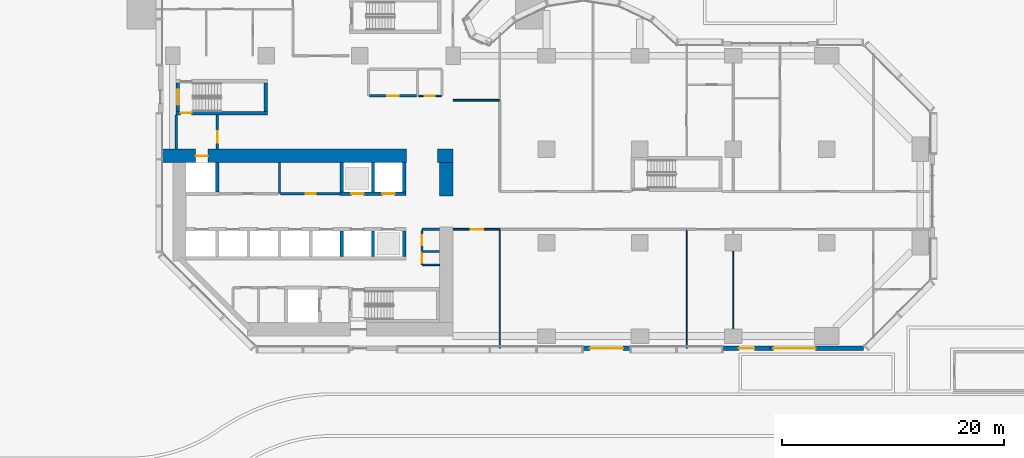
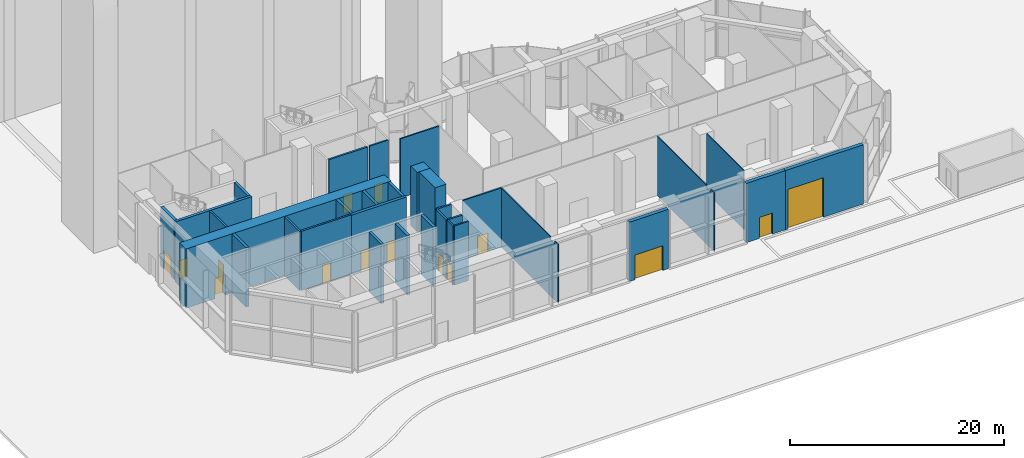
# One storey, part 8 of 21: 33 walls, 15 doors, 15 openings.
"""IFC4 building model written with IfcOpenShell, lengths in metres."""

from ifc_helpers import new_model, si_unit, direction, frame, frame_2d, origin, place, context, subcontext, project, spatial, polyline, rectangle, outline, extrude, material, layer, layer_set, type_object, element, fill, save


model = new_model("IFC4")

# Units and contexts
model_context = context("Model", 3, precision=1e-05, world=origin(), true_north=direction((0.0, 1.0)))
body_context = subcontext(model_context, "Body", "Model", "MODEL_VIEW")
ifc_project = project(units=[si_unit("LENGTHUNIT", "METRE"), si_unit("AREAUNIT", "SQUARE_METRE"), si_unit("VOLUMEUNIT", "CUBIC_METRE"), si_unit("PLANEANGLEUNIT", "RADIAN"), si_unit("MASSUNIT", "GRAM", prefix="KILO")], contexts=[model_context])

# Site, building, storey
site_placement = place(None, origin())
site = spatial("IfcSite", under=ifc_project, at=site_placement, CompositionType="ELEMENT")
building_placement = place(site_placement, origin())
building = spatial("IfcBuilding", under=site, at=building_placement, Name="Brevane Broadcast Tower", CompositionType="ELEMENT")
storey_placement = place(building_placement, origin())
storey = spatial("IfcBuildingStorey", under=building, at=storey_placement, Name="L00", CompositionType="ELEMENT", Elevation=0.0)

# Wall, opening, door
ifc_material_1 = material(Name="Gypsum board on steel studs", Category="steel")
ifc_layer_1 = layer(ifc_material_1, 0.14990234375)
ifc_layer_set_1 = layer_set([ifc_layer_1], Name="Core fire partition 150 mm")
wall_type_1 = type_object("IfcWallType", Name="Core fire partition 150 mm", PredefinedType="PARTITIONING", material=ifc_layer_set_1)
wall_1_placement = place(storey_placement, frame((24.125, 21.60009765625, 0.0), z_axis=(0.0, 0.0, 1.0), x_axis=(-1.0, 0.0, 0.0)))
wall_1 = element("IfcWall", 1, at=wall_1_placement, inside=storey, type_object=wall_type_1, Name="L00 partition wall P20", PredefinedType="PARTITIONING", context=body_context, shape_type="SweptSolid", body=[
    extrude(rectangle(XDim=2.02490234375, YDim=0.14990234375, at=frame_2d((1.012451171875, 0.0))), origin(), (0.0, 0.0, 1.0), 6.75),
])
opening_1_placement = place(wall_1_placement, frame((0.574951171875, 0.0, 0.0)))
opening_1 = element("IfcOpeningElement", 2, at=opening_1_placement, cuts=wall_1, Name="Opening L00-K33", PredefinedType="OPENING", context=body_context, shape_type="SweptSolid", body=[
    extrude(rectangle(XDim=0.89990234375, YDim=2.10009765625, at=frame_2d((0.449951171875, 1.050048828125))), frame((0.0, 0.0849609375, 0.0), z_axis=(0.0, -1.0, 0.0), x_axis=(1.0, 0.0, 0.0)), (0.0, 0.0, 1.0), 0.169921875),
])
ifc_material_2 = material(Name="Timber", Category="wood")
door_type_1 = type_object("IfcDoorType", Name="Toilet door 900 x 2100", OperationType="SINGLE_SWING_LEFT", PredefinedType="DOOR", material=ifc_material_2)
door_1_placement = place(opening_1_placement, origin())
door_1 = element("IfcDoor", 3, at=door_1_placement, inside=storey, type_object=door_type_1, Name="Door L00-K33", OperationType="SINGLE_SWING_RIGHT", OverallHeight=2.10009765625, OverallWidth=0.89990234375, PredefinedType="DOOR", context=body_context, shape_type="SweptSolid", body=[
    extrude(rectangle(XDim=0.89990234375, YDim=2.10009765625, at=frame_2d((0.449951171875, 1.050048828125))), frame((0.0, 0.02490234375, 0.0), z_axis=(0.0, -1.0, 0.0), x_axis=(1.0, 0.0, 0.0)), (0.0, 0.0, 1.0), 0.050048828125),
])
fill(opening_1, door_1)

wall_2_placement = place(storey_placement, frame((22.39990234375, 7.5, 0.0), z_axis=(0.0, 0.0, 1.0), x_axis=(0.0, -1.0, 0.0)))
wall_2 = element("IfcWall", 4, at=wall_2_placement, inside=storey, type_object=wall_type_1, Name="L00 partition wall P21", PredefinedType="PARTITIONING", context=body_context, shape_type="SweptSolid", body=[
    extrude(rectangle(XDim=1.10009765625, YDim=0.14990234375, at=frame_2d((0.550048828125, 0.0))), origin(), (0.0, 0.0, 1.0), 6.75),
])
opening_2_placement = place(wall_2_placement, frame((0.050048828125, 0.0, 0.0)))
opening_2 = element("IfcOpeningElement", 5, at=opening_2_placement, cuts=wall_2, Name="Opening L00-K27", PredefinedType="OPENING", context=body_context, shape_type="SweptSolid", body=[
    extrude(rectangle(XDim=0.89990234375, YDim=2.10009765625, at=frame_2d((0.449951171875, 1.050048828125))), frame((0.0, 0.0849609375, 0.0), z_axis=(0.0, -1.0, 0.0), x_axis=(1.0, 0.0, 0.0)), (0.0, 0.0, 1.0), 0.169921875),
])
ifc_material_3 = material(Name="Steel", Category="steel")
door_type_2 = type_object("IfcDoorType", Name="Service room door 900 x 2100", OperationType="SINGLE_SWING_LEFT", PredefinedType="DOOR", material=ifc_material_3)
door_2_placement = place(opening_2_placement, origin())
door_2 = element("IfcDoor", 6, at=door_2_placement, inside=storey, type_object=door_type_2, Name="Door L00-K27", OperationType="SINGLE_SWING_RIGHT", OverallHeight=2.10009765625, OverallWidth=0.89990234375, PredefinedType="DOOR", context=body_context, shape_type="SweptSolid", body=[
    extrude(rectangle(XDim=0.89990234375, YDim=2.10009765625, at=frame_2d((0.449951171875, 1.050048828125))), frame((0.0, 0.02490234375, 0.0), z_axis=(0.0, -1.0, 0.0), x_axis=(1.0, 0.0, 0.0)), (0.0, 0.0, 1.0), 0.050048828125),
])
fill(opening_2, door_2)

# Walls
wall_3_placement = place(storey_placement, frame((22.47509765625, 6.39990234375, 0.0), z_axis=(0.0, 0.0, 1.0), x_axis=(1.0, 0.0, 0.0)))
element("IfcWall", 7, at=wall_3_placement, inside=storey, type_object=wall_type_1, Name="L00 partition wall P22", PredefinedType="PARTITIONING", context=body_context, shape_type="SweptSolid", body=[
    extrude(rectangle(XDim=1.512939453125, YDim=0.14990234375, at=frame_2d((0.75634765625, 0.0))), origin(), (0.0, 0.0, 1.0), 6.75),
])
ifc_layer_2 = layer(ifc_material_1, 0.199951171875)
ifc_layer_set_2 = layer_set([ifc_layer_2], Name="Core fire partition 200 mm")
wall_type_2 = type_object("IfcWallType", Name="Core fire partition 200 mm", PredefinedType="PARTITIONING", material=ifc_layer_set_2)
wall_4_placement = place(storey_placement, frame((0.300048828125, 16.81201171875, 0.0), z_axis=(0.0, 0.0, 1.0), x_axis=(0.0, 1.0, 0.0)))
element("IfcWall", 8, at=wall_4_placement, inside=storey, type_object=wall_type_2, Name="L00 partition wall P01", PredefinedType="PARTITIONING", context=body_context, shape_type="SweptSolid", body=[
    extrude(rectangle(XDim=3.075927734375, YDim=0.199951171875, at=frame_2d((1.5380859375, 0.0))), origin(), (0.0, 0.0, 1.0), 6.3798828125),
])

# Wall, opening, door
wall_5_placement = place(storey_placement, frame((4.0, 19.887939453125, 0.0), z_axis=(0.0, 0.0, 1.0), x_axis=(0.0, -1.0, 0.0)))
wall_5 = element("IfcWall", 9, at=wall_5_placement, inside=storey, type_object=wall_type_2, Name="L00 partition wall P02", PredefinedType="PARTITIONING", context=body_context, shape_type="SweptSolid", body=[
    extrude(rectangle(XDim=3.075927734375, YDim=0.199951171875, at=frame_2d((1.5380859375, 0.0))), origin(), (0.0, 0.0, 1.0), 6.75),
])
opening_3_placement = place(wall_5_placement, frame((1.488037109375, 0.0, 0.0)))
opening_3 = element("IfcOpeningElement", 10, at=opening_3_placement, cuts=wall_5, Name="Opening L00-K31", PredefinedType="OPENING", context=body_context, shape_type="SweptSolid", body=[
    extrude(rectangle(XDim=1.0, YDim=2.10009765625, at=frame_2d((0.5, 1.050048828125))), frame((0.0, 0.10986328125, 0.0), z_axis=(0.0, -1.0, 0.0), x_axis=(1.0, 0.0, 0.0)), (0.0, 0.0, 1.0), 0.219970703125),
])
door_type_3 = type_object("IfcDoorType", Name="Stair door 1000 x 2100", OperationType="SINGLE_SWING_LEFT", PredefinedType="DOOR", material=ifc_material_3)
door_3_placement = place(opening_3_placement, origin())
door_3 = element("IfcDoor", 11, at=door_3_placement, inside=storey, type_object=door_type_3, Name="Door L00-K31", OperationType="SINGLE_SWING_RIGHT", OverallHeight=2.10009765625, OverallWidth=1.0, PredefinedType="DOOR", context=body_context, shape_type="SweptSolid", body=[
    extrude(rectangle(XDim=1.0, YDim=2.10009765625, at=frame_2d((0.5, 1.050048828125))), frame((0.0, 0.02490234375, 0.0), z_axis=(0.0, -1.0, 0.0), x_axis=(1.0, 0.0, 0.0)), (0.0, 0.0, 1.0), 0.050048828125),
])
fill(opening_3, door_3)

wall_6_placement = place(storey_placement, frame((21.89990234375, 21.60009765625, 0.0), z_axis=(0.0, 0.0, 1.0), x_axis=(-1.0, 0.0, 0.0)))
wall_6 = element("IfcWall", 12, at=wall_6_placement, inside=storey, type_object=wall_type_2, Name="L00 partition wall P07", PredefinedType="PARTITIONING", context=body_context, shape_type="SweptSolid", body=[
    extrude(rectangle(XDim=4.199951171875, YDim=0.199951171875, at=frame_2d((2.10009765625, 0.0))), origin(), (0.0, 0.0, 1.0), 6.75),
])
opening_4_placement = place(wall_6_placement, frame((1.60009765625, 0.0, 0.0)))
opening_4 = element("IfcOpeningElement", 13, at=opening_4_placement, cuts=wall_6, Name="Opening L00-K32", PredefinedType="OPENING", context=body_context, shape_type="SweptSolid", body=[
    extrude(rectangle(XDim=1.0, YDim=2.10009765625, at=frame_2d((0.5, 1.050048828125))), frame((0.0, 0.10986328125, 0.0), z_axis=(0.0, -1.0, 0.0), x_axis=(1.0, 0.0, 0.0)), (0.0, 0.0, 1.0), 0.219970703125),
])
door_4_placement = place(opening_4_placement, origin())
door_4 = element("IfcDoor", 14, at=door_4_placement, inside=storey, type_object=door_type_3, Name="Door L00-K32", OperationType="SINGLE_SWING_LEFT", OverallHeight=2.10009765625, OverallWidth=1.0, PredefinedType="DOOR", context=body_context, shape_type="SweptSolid", body=[
    extrude(rectangle(XDim=1.0, YDim=2.10009765625, at=frame_2d((0.5, 1.050048828125))), frame((0.0, 0.02490234375, 0.0), z_axis=(0.0, -1.0, 0.0), x_axis=(1.0, 0.0, 0.0)), (0.0, 0.0, 1.0), 0.050048828125),
])
fill(opening_4, door_4)

# Wall
wall_7_placement = place(storey_placement, frame((9.60009765625, 15.587890625, 0.0), z_axis=(0.0, 0.0, 1.0), x_axis=(0.0, -1.0, 0.0)))
element("IfcWall", 15, at=wall_7_placement, inside=storey, type_object=wall_type_2, Name="L00 partition wall P08", PredefinedType="PARTITIONING", context=body_context, shape_type="SweptSolid", body=[
    extrude(rectangle(XDim=2.787841796875, YDim=0.199951171875, at=frame_2d((1.39404296875, 0.0))), origin(), (0.0, 0.0, 1.0), 6.75),
])

# Wall, opening, door
wall_8_placement = place(storey_placement, frame((9.699951171875, 12.800048828125, 0.0), z_axis=(0.0, 0.0, 1.0), x_axis=(1.0, 0.0, 0.0)))
wall_8 = element("IfcWall", 16, at=wall_8_placement, inside=storey, type_object=wall_type_2, Name="L00 partition wall P09", PredefinedType="PARTITIONING", context=body_context, shape_type="SweptSolid", body=[
    extrude(rectangle(XDim=5.338134765625, YDim=0.199951171875, at=frame_2d((2.6689453125, 0.0))), origin(), (0.0, 0.0, 1.0), 6.75),
])
opening_5_placement = place(wall_8_placement, frame((2.25, 0.0, 0.0)))
opening_5 = element("IfcOpeningElement", 17, at=opening_5_placement, cuts=wall_8, Name="Opening L00-K30", PredefinedType="OPENING", context=body_context, shape_type="SweptSolid", body=[
    extrude(rectangle(XDim=0.89990234375, YDim=2.10009765625, at=frame_2d((0.449951171875, 1.050048828125))), frame((0.0, 0.10986328125, 0.0), z_axis=(0.0, -1.0, 0.0), x_axis=(1.0, 0.0, 0.0)), (0.0, 0.0, 1.0), 0.219970703125),
])
door_5_placement = place(opening_5_placement, origin())
door_5 = element("IfcDoor", 18, at=door_5_placement, inside=storey, type_object=door_type_2, Name="Door L00-K30", OperationType="SINGLE_SWING_LEFT", OverallHeight=2.10009765625, OverallWidth=0.89990234375, PredefinedType="DOOR", context=body_context, shape_type="SweptSolid", body=[
    extrude(rectangle(XDim=0.89990234375, YDim=2.10009765625, at=frame_2d((0.449951171875, 1.050048828125))), frame((0.0, 0.02490234375, 0.0), z_axis=(0.0, -1.0, 0.0), x_axis=(1.0, 0.0, 0.0)), (0.0, 0.0, 1.0), 0.050048828125),
])
fill(opening_5, door_5)

# Wall
wall_9_placement = place(storey_placement, frame((23.988037109375, 9.60009765625, 0.0), z_axis=(0.0, 0.0, 1.0), x_axis=(-1.0, 0.0, 0.0)))
element("IfcWall", 19, at=wall_9_placement, inside=storey, type_object=wall_type_2, Name="L00 partition wall P10", PredefinedType="PARTITIONING", context=body_context, shape_type="SweptSolid", body=[
    extrude(rectangle(XDim=1.588134765625, YDim=0.199951171875, at=frame_2d((0.7939453125, 0.0))), origin(), (0.0, 0.0, 1.0), 6.75),
])

# Wall, opening, door
wall_10_placement = place(storey_placement, frame((22.39990234375, 9.5, 0.0), z_axis=(0.0, 0.0, 1.0), x_axis=(0.0, -1.0, 0.0)))
wall_10 = element("IfcWall", 20, at=wall_10_placement, inside=storey, type_object=wall_type_2, Name="L00 partition wall P11", PredefinedType="PARTITIONING", context=body_context, shape_type="SweptSolid", body=[
    extrude(rectangle(XDim=1.89990234375, YDim=0.199951171875, at=frame_2d((0.949951171875, 0.0))), origin(), (0.0, 0.0, 1.0), 6.75),
])
opening_6_placement = place(wall_10_placement, frame((0.449951171875, 0.0, 0.0)))
opening_6 = element("IfcOpeningElement", 21, at=opening_6_placement, cuts=wall_10, Name="Opening L00-K28", PredefinedType="OPENING", context=body_context, shape_type="SweptSolid", body=[
    extrude(rectangle(XDim=0.89990234375, YDim=2.10009765625, at=frame_2d((0.449951171875, 1.050048828125))), frame((0.0, 0.10986328125, 0.0), z_axis=(0.0, -1.0, 0.0), x_axis=(1.0, 0.0, 0.0)), (0.0, 0.0, 1.0), 0.219970703125),
])
door_6_placement = place(opening_6_placement, origin())
door_6 = element("IfcDoor", 22, at=door_6_placement, inside=storey, type_object=door_type_2, Name="Door L00-K28", OperationType="SINGLE_SWING_LEFT", OverallHeight=2.10009765625, OverallWidth=0.89990234375, PredefinedType="DOOR", context=body_context, shape_type="SweptSolid", body=[
    extrude(rectangle(XDim=0.89990234375, YDim=2.10009765625, at=frame_2d((0.449951171875, 1.050048828125))), frame((0.0, 0.02490234375, 0.0), z_axis=(0.0, -1.0, 0.0), x_axis=(1.0, 0.0, 0.0)), (0.0, 0.0, 1.0), 0.050048828125),
])
fill(opening_6, door_6)

# Wall
wall_11_placement = place(storey_placement, frame((22.5, 7.60009765625, 0.0), z_axis=(0.0, 0.0, 1.0), x_axis=(1.0, 0.0, 0.0)))
element("IfcWall", 23, at=wall_11_placement, inside=storey, type_object=wall_type_2, Name="L00 partition wall P12", PredefinedType="PARTITIONING", context=body_context, shape_type="SweptSolid", body=[
    extrude(rectangle(XDim=1.488037109375, YDim=0.199951171875, at=frame_2d((0.744140625, 0.0))), origin(), (0.0, 0.0, 1.0), 6.75),
])

# Wall, opening, door
ifc_material_4 = material(Name="Concrete C80/95", Category="concrete")
ifc_layer_3 = layer(ifc_material_4, 1.199951171875)
ifc_layer_set_3 = layer_set([ifc_layer_3], Name="Core wall 1200 mm C80/95")
wall_type_3 = type_object("IfcWallType", Name="Core wall 1200 mm C80/95", PredefinedType="SHEAR", material=ifc_layer_set_3)
wall_12_placement = place(storey_placement, frame((-1.10009765625, 16.199951171875, 0.0), z_axis=(0.0, 0.0, 1.0), x_axis=(1.0, 0.0, 0.0)))
wall_12 = element("IfcWall", 24, at=wall_12_placement, inside=storey, type_object=wall_type_3, Name="L00 outer wall WN1", PredefinedType="SHEAR", context=body_context, shape_type="SweptSolid", body=[
    extrude(rectangle(XDim=22.10009765625, YDim=1.199951171875, at=frame_2d((11.050048828125, 0.0))), origin(), (0.0, 0.0, 1.0), 6.75),
])
opening_7_placement = place(wall_12_placement, frame((3.14990234375, 0.0, 0.0)))
opening_7 = element("IfcOpeningElement", 25, at=opening_7_placement, cuts=wall_12, Name="Opening LD", PredefinedType="OPENING", context=body_context, shape_type="SweptSolid", body=[
    extrude(rectangle(XDim=1.10009765625, YDim=2.300048828125, at=frame_2d((0.550048828125, 1.14990234375))), frame((0.0, 0.60986328125, 0.0), z_axis=(0.0, -1.0, 0.0), x_axis=(1.0, 0.0, 0.0)), (0.0, 0.0, 1.0), 1.219970703125),
])
ifc_material_5 = material(Name="Stainless steel", Category="steel")
door_type_4 = type_object("IfcDoorType", Name="Lift landing door", OperationType="SLIDING_TO_LEFT", PredefinedType="DOOR", material=ifc_material_5)
door_7_placement = place(opening_7_placement, origin())
door_7 = element("IfcDoor", 26, at=door_7_placement, inside=storey, type_object=door_type_4, Name="Landing door FF1 L00", OperationType="SLIDING_TO_LEFT", OverallHeight=2.300048828125, OverallWidth=1.10009765625, PredefinedType="DOOR", context=body_context, shape_type="SweptSolid", body=[
    extrude(rectangle(XDim=1.10009765625, YDim=2.300048828125, at=frame_2d((0.550048828125, 1.14990234375))), frame((0.0, 0.02490234375, 0.0), z_axis=(0.0, -1.0, 0.0), x_axis=(1.0, 0.0, 0.0)), (0.0, 0.0, 1.0), 0.050048828125),
])
fill(opening_7, door_7)

# Walls
wall_13_placement = place(storey_placement, frame((23.800048828125, 16.199951171875, 0.0), z_axis=(0.0, 0.0, 1.0), x_axis=(1.0, 0.0, 0.0)))
element("IfcWall", 27, at=wall_13_placement, inside=storey, type_object=wall_type_3, Name="L00 outer wall WN2", PredefinedType="SHEAR", context=body_context, shape_type="SweptSolid", body=[
    extrude(rectangle(XDim=1.39990234375, YDim=1.199951171875, at=frame_2d((0.699951171875, 0.0))), origin(), (0.0, 0.0, 1.0), 6.75),
])
wall_14_placement = place(storey_placement, frame((24.60009765625, 12.60009765625, 0.0), z_axis=(0.0, 0.0, 1.0), x_axis=(0.0, 1.0, 0.0)))
element("IfcWall", 28, at=wall_14_placement, inside=storey, type_object=wall_type_3, Name="L00 outer wall WE2", PredefinedType="SHEAR", context=body_context, shape_type="SweptSolid", body=[
    extrude(rectangle(XDim=3.0, YDim=1.199951171875, at=frame_2d((1.5, 0.0))), origin(), (0.0, 0.0, 1.0), 6.75),
])
ifc_layer_4 = layer(ifc_material_4, 0.300048828125)
ifc_layer_set_4 = layer_set([ifc_layer_4], Name="Core wall 300 mm C80/95")
wall_type_4 = type_object("IfcWallType", Name="Core wall 300 mm C80/95", PredefinedType="SHEAR", material=ifc_layer_set_4)
for number, where, z_axis, x_axis, name in (
    (29, (15.199951171875, 7.14990234375, 0.0), (0.0, 0.0, 1.0), (0.0, 1.0, 0.0), "L00 shaft wall SH-S-P152"),
    (30, (18.0, 7.14990234375, 0.0), (0.0, 0.0, 1.0), (0.0, 1.0, 0.0), "L00 shaft wall SH-S-P180"),
    (31, (20.800048828125, 7.14990234375, 0.0), (0.0, 0.0, 1.0), (0.0, 1.0, 0.0), "L00 shaft wall SH-S-P208"),
):
    element("IfcWall", number, at=place(storey_placement, frame(where, z_axis=z_axis, x_axis=x_axis)), inside=storey, type_object=wall_type_4, Name=name, PredefinedType="SHEAR", context=body_context, shape_type="SweptSolid", body=[
        extrude(rectangle(XDim=2.300048828125, YDim=0.300048828125, at=frame_2d((1.14990234375, 0.0))), origin(), (0.0, 0.0, 1.0), 6.75),
    ])
wall_15_placement = place(storey_placement, frame((4.0, 12.949951171875, 0.0), z_axis=(0.0, 0.0, 1.0), x_axis=(0.0, 1.0, 0.0)))
element("IfcWall", 32, at=wall_15_placement, inside=storey, type_object=wall_type_4, Name="L00 shaft wall SH-N-P040", PredefinedType="SHEAR", context=body_context, shape_type="SweptSolid", body=[
    extrude(rectangle(XDim=2.650146484375, YDim=0.300048828125, at=frame_2d((1.3251953125, 0.0))), origin(), (0.0, 0.0, 1.0), 6.75),
])

# Wall, openings, doors
wall_16_placement = place(storey_placement, frame((15.050048828125, 12.800048828125, 0.0), z_axis=(0.0, 0.0, 1.0), x_axis=(1.0, 0.0, 0.0)))
wall_16 = element("IfcWall", 33, at=wall_16_placement, inside=storey, type_object=wall_type_4, Name="L00 shaft wall SH-N152-front", PredefinedType="SHEAR", context=body_context, shape_type="SweptSolid", body=[
    extrude(rectangle(XDim=5.89990234375, YDim=0.300048828125, at=frame_2d((2.949951171875, 0.0))), origin(), (0.0, 0.0, 1.0), 6.75),
])
opening_8_placement = place(wall_16_placement, frame((1.0, 0.0, 0.0)))
opening_8 = element("IfcOpeningElement", 34, at=opening_8_placement, cuts=wall_16, Name="Opening LD", PredefinedType="OPENING", context=body_context, shape_type="SweptSolid", body=[
    extrude(rectangle(XDim=1.10009765625, YDim=2.300048828125, at=frame_2d((0.550048828125, 1.14990234375))), frame((0.0, 0.159912109375, 0.0), z_axis=(0.0, -1.0, 0.0), x_axis=(1.0, 0.0, 0.0)), (0.0, 0.0, 1.0), 0.320068359375),
])
opening_9_placement = place(wall_16_placement, frame((3.800048828125, 0.0, 0.0)))
opening_9 = element("IfcOpeningElement", 35, at=opening_9_placement, cuts=wall_16, Name="Opening LD", PredefinedType="OPENING", context=body_context, shape_type="SweptSolid", body=[
    extrude(rectangle(XDim=1.10009765625, YDim=2.300048828125, at=frame_2d((0.550048828125, 1.14990234375))), frame((0.0, 0.159912109375, 0.0), z_axis=(0.0, -1.0, 0.0), x_axis=(1.0, 0.0, 0.0)), (0.0, 0.0, 1.0), 0.320068359375),
])
door_8_placement = place(opening_8_placement, origin())
door_8 = element("IfcDoor", 36, at=door_8_placement, inside=storey, type_object=door_type_4, Name="Landing door SH2 L00", OperationType="SLIDING_TO_LEFT", OverallHeight=2.300048828125, OverallWidth=1.10009765625, PredefinedType="DOOR", context=body_context, shape_type="SweptSolid", body=[
    extrude(rectangle(XDim=1.10009765625, YDim=2.300048828125, at=frame_2d((0.550048828125, 1.14990234375))), frame((0.0, 0.02490234375, 0.0), z_axis=(0.0, -1.0, 0.0), x_axis=(1.0, 0.0, 0.0)), (0.0, 0.0, 1.0), 0.050048828125),
])
fill(opening_8, door_8)
door_9_placement = place(opening_9_placement, origin())
door_9 = element("IfcDoor", 37, at=door_9_placement, inside=storey, type_object=door_type_4, Name="Landing door SL1 L00", OperationType="SLIDING_TO_LEFT", OverallHeight=2.300048828125, OverallWidth=1.10009765625, PredefinedType="DOOR", context=body_context, shape_type="SweptSolid", body=[
    extrude(rectangle(XDim=1.10009765625, YDim=2.300048828125, at=frame_2d((0.550048828125, 1.14990234375))), frame((0.0, 0.02490234375, 0.0), z_axis=(0.0, -1.0, 0.0), x_axis=(1.0, 0.0, 0.0)), (0.0, 0.0, 1.0), 0.050048828125),
])
fill(opening_9, door_9)

# Walls
for number, where, z_axis, x_axis, name in (
    (38, (15.199951171875, 12.949951171875, 0.0), (0.0, 0.0, 1.0), (0.0, 1.0, 0.0), "L00 shaft wall SH-N-P152"),
    (39, (18.0, 12.949951171875, 0.0), (0.0, 0.0, 1.0), (0.0, 1.0, 0.0), "L00 shaft wall SH-N-P180"),
    (40, (20.800048828125, 12.949951171875, 0.0), (0.0, 0.0, 1.0), (0.0, 1.0, 0.0), "L00 shaft wall SH-N-P208"),
):
    element("IfcWall", number, at=place(storey_placement, frame(where, z_axis=z_axis, x_axis=x_axis)), inside=storey, type_object=wall_type_4, Name=name, PredefinedType="SHEAR", context=body_context, shape_type="SweptSolid", body=[
        extrude(rectangle(XDim=2.650146484375, YDim=0.300048828125, at=frame_2d((1.3251953125, 0.0))), origin(), (0.0, 0.0, 1.0), 6.75),
    ])

# Wall, opening, door
wall_17_placement = place(storey_placement, frame((8.5, 20.050048828125, 0.0), z_axis=(0.0, 0.0, 1.0), x_axis=(-1.0, 0.0, 0.0)))
wall_17 = element("IfcWall", 41, at=wall_17_placement, inside=storey, type_object=wall_type_4, Name="L00 stair wall ST-1-S", PredefinedType="SHEAR", context=body_context, shape_type="SweptSolid", body=[
    extrude(rectangle(XDim=8.199951171875, YDim=0.300048828125, at=frame_2d((4.10009765625, 0.0))), origin(), (0.0, 0.0, 1.0), 6.75),
])
opening_10_placement = place(wall_17_placement, frame((6.800048828125, 0.0, 0.0)))
opening_10 = element("IfcOpeningElement", 42, at=opening_10_placement, cuts=wall_17, Name="Opening L00-K13", PredefinedType="OPENING", context=body_context, shape_type="SweptSolid", body=[
    extrude(rectangle(XDim=1.0, YDim=2.10009765625, at=frame_2d((0.5, 1.050048828125))), frame((0.0, 0.159912109375, 0.0), z_axis=(0.0, -1.0, 0.0), x_axis=(1.0, 0.0, 0.0)), (0.0, 0.0, 1.0), 0.320068359375),
])
door_10_placement = place(opening_10_placement, origin())
door_10 = element("IfcDoor", 43, at=door_10_placement, inside=storey, type_object=door_type_3, Name="Door L00-K13", OperationType="SINGLE_SWING_RIGHT", OverallHeight=2.10009765625, OverallWidth=1.0, PredefinedType="DOOR", context=body_context, shape_type="SweptSolid", body=[
    extrude(rectangle(XDim=1.0, YDim=2.10009765625, at=frame_2d((0.5, 1.050048828125))), frame((0.0, 0.02490234375, 0.0), z_axis=(0.0, -1.0, 0.0), x_axis=(1.0, 0.0, 0.0)), (0.0, 0.0, 1.0), 0.050048828125),
])
fill(opening_10, door_10)

wall_18_placement = place(storey_placement, frame((0.449951171875, 20.199951171875, 0.0), z_axis=(0.0, 0.0, 1.0), x_axis=(0.0, 1.0, 0.0)))
wall_18 = element("IfcWall", 44, at=wall_18_placement, inside=storey, type_object=wall_type_4, Name="L00 stair wall ST-1-W", PredefinedType="SHEAR", context=body_context, shape_type="SweptSolid", body=[
    extrude(rectangle(XDim=2.550048828125, YDim=0.300048828125, at=frame_2d((1.27490234375, 0.0))), origin(), (0.0, 0.0, 1.0), 6.75),
])
opening_11_placement = place(wall_18_placement, frame((0.60009765625, 0.0, 0.0)))
opening_11 = element("IfcOpeningElement", 45, at=opening_11_placement, cuts=wall_18, Name="Opening L00-K15", PredefinedType="OPENING", context=body_context, shape_type="SweptSolid", body=[
    extrude(rectangle(XDim=1.39990234375, YDim=2.10009765625, at=frame_2d((0.699951171875, 1.050048828125))), frame((0.0, 0.159912109375, 0.0), z_axis=(0.0, -1.0, 0.0), x_axis=(1.0, 0.0, 0.0)), (0.0, 0.0, 1.0), 0.320068359375),
])
door_type_5 = type_object("IfcDoorType", Name="Exit door 1400 x 2100", OperationType="SINGLE_SWING_LEFT", PredefinedType="DOOR", material=ifc_material_3)
door_11_placement = place(opening_11_placement, origin())
door_11 = element("IfcDoor", 46, at=door_11_placement, inside=storey, type_object=door_type_5, Name="Door L00-K15", OperationType="SINGLE_SWING_RIGHT", OverallHeight=2.10009765625, OverallWidth=1.39990234375, PredefinedType="DOOR", context=body_context, shape_type="SweptSolid", body=[
    extrude(rectangle(XDim=1.39990234375, YDim=2.10009765625, at=frame_2d((0.699951171875, 1.050048828125))), frame((0.0, 0.02490234375, 0.0), z_axis=(0.0, -1.0, 0.0), x_axis=(1.0, 0.0, 0.0)), (0.0, 0.0, 1.0), 0.050048828125),
])
fill(opening_11, door_11)

# Wall
wall_19_placement = place(storey_placement, frame((8.35009765625, 20.199951171875, 0.0), z_axis=(0.0, 0.0, 1.0), x_axis=(0.0, 1.0, 0.0)))
element("IfcWall", 47, at=wall_19_placement, inside=storey, type_object=wall_type_4, Name="L00 stair wall ST-1-E", PredefinedType="SHEAR", context=body_context, shape_type="SweptSolid", body=[
    extrude(rectangle(XDim=2.550048828125, YDim=0.300048828125, at=frame_2d((1.27490234375, 0.0))), origin(), (0.0, 0.0, 1.0), 6.75),
])

# Wall, opening, door
ifc_material_6 = material(Name="Concrete C40/50", Category="concrete")
ifc_layer_5 = layer(ifc_material_6, 0.39990234375)
ifc_layer_set_5 = layer_set([ifc_layer_5], Name="Entrance portal wall 400")
wall_type_5 = type_object("IfcWallType", Name="Entrance portal wall 400", PredefinedType="SOLIDWALL", material=ifc_layer_set_5)
wall_20_placement = place(storey_placement, frame((41.10009765625, -1.10009765625, 0.0), z_axis=(0.0, 0.0, 1.0), x_axis=(-1.0, 0.0, 0.0)))
wall_20 = element("IfcWall", 48, at=wall_20_placement, inside=storey, type_object=wall_type_5, Name="Portal wall street entrance", PredefinedType="SOLIDWALL", context=body_context, shape_type="SweptSolid", body=[
    extrude(rectangle(XDim=4.2001953125, YDim=0.39990234375, at=frame_2d((2.10009765625, 0.0))), origin(), (0.0, 0.0, 1.0), 6.75),
])
opening_12_placement = place(wall_20_placement, frame((0.60009765625, 0.0, 0.0)))
opening_12 = element("IfcOpeningElement", 49, at=opening_12_placement, cuts=wall_20, Name="Opening EX01", PredefinedType="OPENING", context=body_context, shape_type="SweptSolid", body=[
    extrude(rectangle(XDim=3.0, YDim=2.800048828125, at=frame_2d((1.5, 1.39990234375))), frame((0.0, 0.2099609375, 0.0), z_axis=(0.0, -1.0, 0.0), x_axis=(1.0, 0.0, 0.0)), (0.0, 0.0, 1.0), 0.419921875),
])
ifc_material_7 = material(Name="Aluminium bronze anodised and laminated glass", Category="aluminium")
door_type_6 = type_object("IfcDoorType", Name="Street entrance door 3000x2800", OperationType="DOUBLE_DOOR_DOUBLE_SWING", PredefinedType="DOOR", material=ifc_material_7)
door_12_placement = place(opening_12_placement, origin())
door_12 = element("IfcDoor", 50, at=door_12_placement, inside=storey, type_object=door_type_6, Name="Street entrance", OperationType="DOUBLE_DOOR_DOUBLE_SWING", OverallHeight=2.800048828125, OverallWidth=3.0, PredefinedType="DOOR", context=body_context, shape_type="SweptSolid", body=[
    extrude(rectangle(XDim=3.0, YDim=2.800048828125, at=frame_2d((1.5, 1.39990234375))), frame((0.0, 0.02490234375, 0.0), z_axis=(0.0, -1.0, 0.0), x_axis=(1.0, 0.0, 0.0)), (0.0, 0.0, 1.0), 0.050048828125),
])
fill(opening_12, door_12)

wall_21_placement = place(storey_placement, frame((53.699951171875, -1.10009765625, 0.0), z_axis=(0.0, 0.0, 1.0), x_axis=(-1.0, 0.0, 0.0)))
wall_21 = element("IfcWall", 51, at=wall_21_placement, inside=storey, type_object=wall_type_5, Name="Portal wall service entrance", PredefinedType="SOLIDWALL", context=body_context, shape_type="SweptSolid", body=[
    extrude(rectangle(XDim=4.199951171875, YDim=0.39990234375, at=frame_2d((2.10009765625, 0.0))), origin(), (0.0, 0.0, 1.0), 6.75),
])
opening_13_placement = place(wall_21_placement, frame((1.39990234375, 0.0, 0.0)))
opening_13 = element("IfcOpeningElement", 52, at=opening_13_placement, cuts=wall_21, Name="Opening EX02", PredefinedType="OPENING", context=body_context, shape_type="SweptSolid", body=[
    extrude(rectangle(XDim=1.39990234375, YDim=2.39990234375, at=frame_2d((0.699951171875, 1.199951171875))), frame((0.0, 0.2099609375, 0.0), z_axis=(0.0, -1.0, 0.0), x_axis=(1.0, 0.0, 0.0)), (0.0, 0.0, 1.0), 0.419921875),
])
door_type_7 = type_object("IfcDoorType", Name="Service entrance door 1400x2400", OperationType="DOUBLE_DOOR_SINGLE_SWING", PredefinedType="DOOR", material=ifc_material_7)
door_13_placement = place(opening_13_placement, origin())
door_13 = element("IfcDoor", 53, at=door_13_placement, inside=storey, type_object=door_type_7, Name="Service entrance", OperationType="DOUBLE_DOOR_SINGLE_SWING", OverallHeight=2.39990234375, OverallWidth=1.39990234375, PredefinedType="DOOR", context=body_context, shape_type="SweptSolid", body=[
    extrude(rectangle(XDim=1.39990234375, YDim=2.39990234375, at=frame_2d((0.699951171875, 1.199951171875))), frame((0.0, 0.02490234375, 0.0), z_axis=(0.0, -1.0, 0.0), x_axis=(1.0, 0.0, 0.0)), (0.0, 0.0, 1.0), 0.050048828125),
])
fill(opening_13, door_13)

wall_22_placement = place(storey_placement, frame((62.10009765625, -1.10009765625, 0.0), z_axis=(0.0, 0.0, 1.0), x_axis=(-1.0, 0.0, 0.0)))
wall_22 = element("IfcWall", 54, at=wall_22_placement, inside=storey, type_object=wall_type_5, Name="Portal wall loading entrance", PredefinedType="SOLIDWALL", context=body_context, shape_type="SweptSolid", body=[
    extrude(rectangle(XDim=8.400146484375, YDim=0.39990234375, at=frame_2d((4.2001953125, 0.0))), origin(), (0.0, 0.0, 1.0), 6.75),
])
opening_14_placement = place(wall_22_placement, frame((4.300048828125, 0.0, 0.0)))
opening_14 = element("IfcOpeningElement", 55, at=opening_14_placement, cuts=wall_22, Name="Opening EX03", PredefinedType="OPENING", context=body_context, shape_type="SweptSolid", body=[
    extrude(rectangle(XDim=3.800048828125, YDim=4.5, at=frame_2d((1.89990234375, 2.25))), frame((0.0, 0.2099609375, 0.0), z_axis=(0.0, -1.0, 0.0), x_axis=(1.0, 0.0, 0.0)), (0.0, 0.0, 1.0), 0.419921875),
])
door_type_8 = type_object("IfcDoorType", Name="Loading door 3800x4500", OperationType="ROLLINGUP", PredefinedType="DOOR", material=ifc_material_7)
door_14_placement = place(opening_14_placement, origin())
door_14 = element("IfcDoor", 56, at=door_14_placement, inside=storey, type_object=door_type_8, Name="Loading entrance", OperationType="ROLLINGUP", OverallHeight=4.5, OverallWidth=3.800048828125, PredefinedType="DOOR", context=body_context, shape_type="SweptSolid", body=[
    extrude(rectangle(XDim=3.800048828125, YDim=4.5, at=frame_2d((1.89990234375, 2.25))), frame((0.0, 0.02490234375, 0.0), z_axis=(0.0, -1.0, 0.0), x_axis=(1.0, 0.0, 0.0)), (0.0, 0.0, 1.0), 0.050048828125),
])
fill(opening_14, door_14)

# Walls
ifc_material_8 = material(Name="Gypsum board partition")
ifc_layer_6 = layer(ifc_material_8, 0.10009765625)
ifc_layer_set_6 = layer_set([ifc_layer_6], Name="PARTITION 100 STUD")
wall_type_6 = type_object("IfcWallType", Name="PARTITION 100 STUD", PredefinedType="PARTITIONING", material=ifc_layer_set_6)
wall_23_placement = place(storey_placement, frame((50.39990234375, 0.669921875, 0.0), z_axis=(0.0, 0.0, 1.0), x_axis=(0.0, 1.0, 0.0)))
element("IfcWall", 57, at=wall_23_placement, inside=storey, type_object=wall_type_6, Name="Partition P0-011", PredefinedType="PARTITIONING", context=body_context, shape_type="SweptSolid", body=[
    extrude(rectangle(XDim=6.9599609375, YDim=0.10009765625, at=frame_2d((3.47998046875, 0.0))), origin(), (0.0, 0.0, 1.0), 6.72998046875),
])
for number, where, z_axis, x_axis, name in (
    (58, (29.39990234375, 9.60009765625, 0.0), (0.0, 0.0, 1.0), (0.0, -1.0, 0.0), "Partition P0-024"),
    (59, (46.199951171875, 9.60009765625, 0.0), (0.0, 0.0, 1.0), (0.0, -1.0, 0.0), "Partition P0-025"),
):
    element("IfcWall", number, at=place(storey_placement, frame(where, z_axis=z_axis, x_axis=x_axis)), inside=storey, type_object=wall_type_6, Name=name, PredefinedType="PARTITIONING", context=body_context, shape_type="SweptSolid", body=[
        extrude(outline(polyline([(0.0, 0.0), (10.7001953125, 0.0), (10.699951171875, 6.72998046875), (10.050048828125, 6.72998046875), (10.048095703125, 6.3798828125), (9.152099609375, 6.3798828125), (9.14990234375, 6.72998046875), (0.0, 6.72998046875), (0.0, 0.0)])), frame((0.0, 0.050048828125, 0.0), z_axis=(0.0, -1.0, 0.0), x_axis=(1.0, 0.0, 0.0)), (0.0, 0.0, 1.0), 0.10009765625),
    ])
ifc_layer_7 = layer(ifc_material_8, 0.14990234375)
ifc_layer_set_7 = layer_set([ifc_layer_7], Name="PARTITION 150 EI 60")
wall_type_7 = type_object("IfcWallType", Name="PARTITION 150 EI 60", PredefinedType="PARTITIONING", material=ifc_layer_set_7)
wall_24_placement = place(storey_placement, frame((25.199951171875, 21.199951171875, 0.0), z_axis=(0.0, 0.0, 1.0), x_axis=(1.0, 0.0, 0.0)))
element("IfcWall", 60, at=wall_24_placement, inside=storey, type_object=wall_type_7, Name="Partition P0-002", PredefinedType="PARTITIONING", context=body_context, shape_type="SweptSolid", body=[
    extrude(rectangle(XDim=4.199951171875, YDim=0.14990234375, at=frame_2d((2.10009765625, 0.0))), origin(), (0.0, 0.0, 1.0), 6.72998046875),
])

# Wall, opening, door
wall_25_placement = place(storey_placement, frame((29.39990234375, 9.60009765625, 0.0), z_axis=(0.0, 0.0, 1.0), x_axis=(-1.0, 0.0, 0.0)))
wall_25 = element("IfcWall", 61, at=wall_25_placement, inside=storey, type_object=wall_type_7, Name="Partition P0-003", PredefinedType="PARTITIONING", context=body_context, shape_type="SweptSolid", body=[
    extrude(rectangle(XDim=4.199951171875, YDim=0.14990234375, at=frame_2d((2.10009765625, 0.0))), origin(), (0.0, 0.0, 1.0), 6.72998046875),
])
opening_15_placement = place(wall_25_placement, frame((1.5, 0.0, 0.0)))
opening_15 = element("IfcOpeningElement", 62, at=opening_15_placement, cuts=wall_25, Name="Opening D01-004", PredefinedType="OPENING", context=body_context, shape_type="SweptSolid", body=[
    extrude(rectangle(XDim=1.10009765625, YDim=2.10009765625, at=frame_2d((0.550048828125, 1.050048828125))), frame((0.0, 0.0849609375, 0.0), z_axis=(0.0, -1.0, 0.0), x_axis=(1.0, 0.0, 0.0)), (0.0, 0.0, 1.0), 0.169921875),
])
ifc_material_9 = material(Name="Fire-rated timber door leaf", Category="wood")
door_type_9 = type_object("IfcDoorType", Name="DOOR SINGLE 1100 FD30S", OperationType="SINGLE_SWING_LEFT", PredefinedType="DOOR", material=ifc_material_9)
door_15_placement = place(opening_15_placement, origin())
door_15 = element("IfcDoor", 63, at=door_15_placement, inside=storey, type_object=door_type_9, Name="Door D01-004", OperationType="SINGLE_SWING_LEFT", OverallHeight=2.10009765625, OverallWidth=1.10009765625, PredefinedType="DOOR", context=body_context, shape_type="SweptSolid", body=[
    extrude(rectangle(XDim=1.10009765625, YDim=2.10009765625, at=frame_2d((0.550048828125, 1.050048828125))), frame((0.0, 0.02490234375, 0.0), z_axis=(0.0, -1.0, 0.0), x_axis=(1.0, 0.0, 0.0)), (0.0, 0.0, 1.0), 0.050048828125),
])
fill(opening_15, door_15)

save(model, "model.ifc")
